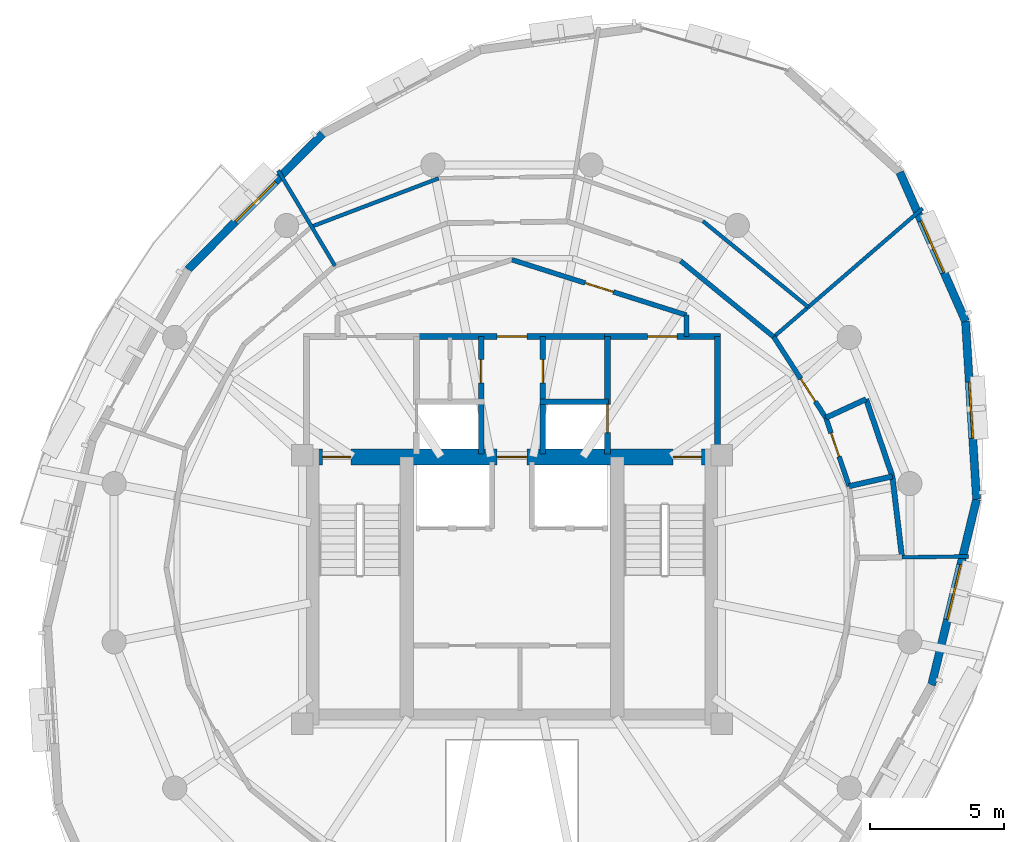
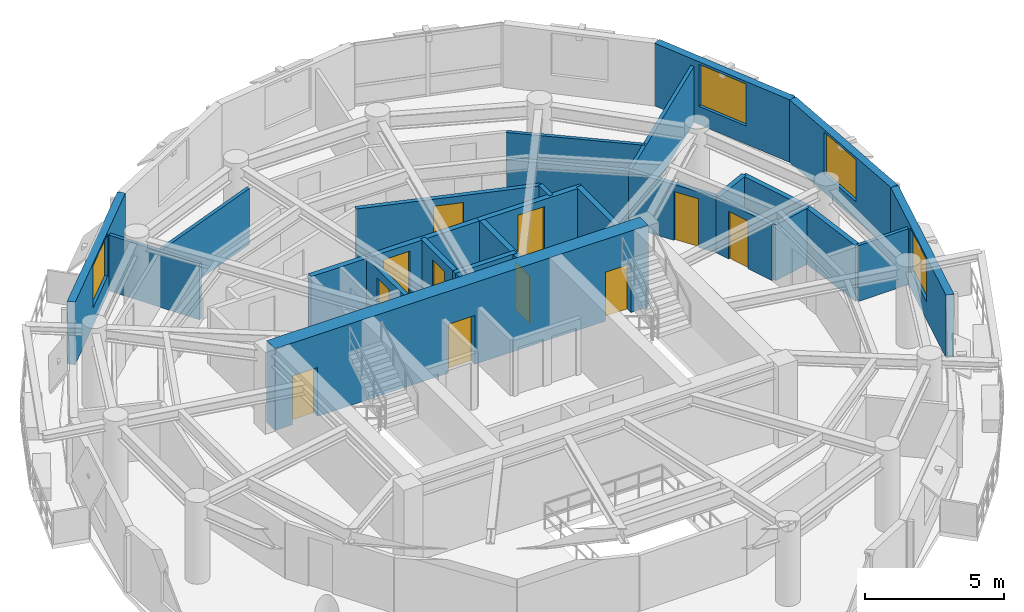
# One storey, part 8 of 11: 26 walls, 11 doors, 4 windows, 15 openings.
"""IFC4 building model written with IfcOpenShell, lengths in metres."""

from ifc_helpers import new_model, si_unit, direction, frame, frame_2d, origin, place, context, subcontext, project, spatial, rectangle, extrude, material, layer, layer_set, type_object, element, fill, save


model = new_model("IFC4")

# Units and contexts
model_context = context("Model", 3, precision=1e-05, world=origin(), true_north=direction((0.0, 1.0)))
body_context = subcontext(model_context, "Body", "Model", "MODEL_VIEW")
ifc_project = project(units=[si_unit("LENGTHUNIT", "METRE"), si_unit("AREAUNIT", "SQUARE_METRE"), si_unit("VOLUMEUNIT", "CUBIC_METRE"), si_unit("PLANEANGLEUNIT", "RADIAN"), si_unit("MASSUNIT", "GRAM", prefix="KILO"), si_unit("THERMODYNAMICTEMPERATUREUNIT", "KELVIN"), si_unit("POWERUNIT", "WATT")], contexts=[model_context])

# Site, building, storey
site_placement = place(None, origin())
site = spatial("IfcSite", under=ifc_project, at=site_placement, CompositionType="ELEMENT")
building_placement = place(site_placement, origin())
building = spatial("IfcBuilding", under=site, at=building_placement, Name="Ocrelia Relay Tower", CompositionType="ELEMENT")
storey_placement = place(building_placement, frame((0.0, 0.0, 280.800048828125)))
storey = spatial("IfcBuildingStorey", under=building, at=storey_placement, Name="L70", CompositionType="ELEMENT", Elevation=280.800048828125)

# Wall, openings, doors
ifc_material_1 = material(Name="Concrete C50/60", Category="concrete")
ifc_layer_1 = layer(ifc_material_1, 0.60009765625, Name="Concrete C50/60")
ifc_layer_set_1 = layer_set([ifc_layer_1], Name="Concrete C50/60")
wall_type_1 = type_object("IfcWallType", Name="CW-CORE-600B", PredefinedType="SHEAR", material=ifc_layer_set_1)
wall_1_placement = place(storey_placement, frame((26.221923828125, 29.93798828125, 0.0), z_axis=(0.0, 0.0, 1.0), x_axis=(1.0, 0.0, 0.0)))
wall_1 = element("IfcWall", 1, at=wall_1_placement, inside=storey, type_object=wall_type_1, Name="L70 Core Shear Wall N", PredefinedType="SHEAR", context=body_context, shape_type="SweptSolid", body=[
    extrude(rectangle(XDim=15.566162109375, YDim=0.60009765625, at=frame_2d((7.783203125, 0.0))), origin(), (0.0, 0.0, 1.0), 3.599853515625),
])
opening_1_placement = place(wall_1_placement, frame((0.72802734375, 0.0, 0.0)))
opening_1 = element("IfcOpeningElement", 2, at=opening_1_placement, cuts=wall_1, Name="Opening D-FD90", PredefinedType="OPENING", context=body_context, shape_type="SweptSolid", body=[
    extrude(rectangle(XDim=1.050048828125, YDim=2.14990234375, at=frame_2d((0.52490234375, 1.074951171875))), frame((0.0, 0.31005859375, 0.0), z_axis=(0.0, -1.0, 0.0), x_axis=(1.0, 0.0, 0.0)), (0.0, 0.0, 1.0), 0.6201171875),
])
opening_2_placement = place(wall_1_placement, frame((13.778076171875, 0.0, 0.0)))
opening_2 = element("IfcOpeningElement", 3, at=opening_2_placement, cuts=wall_1, Name="Opening D-FD90", PredefinedType="OPENING", context=body_context, shape_type="SweptSolid", body=[
    extrude(rectangle(XDim=1.050048828125, YDim=2.14990234375, at=frame_2d((0.52490234375, 1.074951171875))), frame((0.0, 0.31005859375, 0.0), z_axis=(0.0, -1.0, 0.0), x_axis=(1.0, 0.0, 0.0)), (0.0, 0.0, 1.0), 0.6201171875),
])
opening_3_placement = place(wall_1_placement, frame((7.22802734375, 0.0, 0.0)))
opening_3 = element("IfcOpeningElement", 4, at=opening_3_placement, cuts=wall_1, Name="Opening D-FD60", PredefinedType="OPENING", context=body_context, shape_type="SweptSolid", body=[
    extrude(rectangle(XDim=1.10009765625, YDim=2.14990234375, at=frame_2d((0.550048828125, 1.074951171875))), frame((0.0, 0.31005859375, 0.0), z_axis=(0.0, -1.0, 0.0), x_axis=(1.0, 0.0, 0.0)), (0.0, 0.0, 1.0), 0.6201171875),
])
ifc_material_2 = material(Name="Timber-core 60-min acoustic fire door", Category="wood")
door_type_1 = type_object("IfcDoorType", Name="DR-LOBBY-FD60-1100", OperationType="NOTDEFINED", PredefinedType="DOOR", material=ifc_material_2)
door_1_placement = place(opening_3_placement, origin())
door_1 = element("IfcDoor", 5, at=door_1_placement, inside=storey, type_object=door_type_1, Name="L70 Core Lift Lobby North Fire Door", OperationType="SINGLE_SWING_LEFT", OverallHeight=2.14990234375, OverallWidth=1.10009765625, PredefinedType="DOOR", context=body_context, shape_type="SweptSolid", body=[
    extrude(rectangle(XDim=1.10009765625, YDim=2.14990234375, at=frame_2d((0.550048828125, 1.074951171875))), frame((0.0, 0.02490234375, 0.0), z_axis=(0.0, -1.0, 0.0), x_axis=(1.0, 0.0, 0.0)), (0.0, 0.0, 1.0), 0.050048828125),
])
fill(opening_3, door_1)
ifc_material_3 = material(Name="Steel S355 90-min fire door", Category="steel")
door_type_2 = type_object("IfcDoorType", Name="DR-STAIR-FD90-1050", OperationType="NOTDEFINED", PredefinedType="DOOR", material=ifc_material_3)
door_2_placement = place(opening_1_placement, origin())
door_2 = element("IfcDoor", 6, at=door_2_placement, inside=storey, type_object=door_type_2, Name="L70 Stair ST1 Fire Door", OperationType="SINGLE_SWING_LEFT", OverallHeight=2.14990234375, OverallWidth=1.050048828125, PredefinedType="DOOR", context=body_context, shape_type="SweptSolid", body=[
    extrude(rectangle(XDim=1.050048828125, YDim=2.14990234375, at=frame_2d((0.52490234375, 1.074951171875))), frame((0.0, 0.02490234375, 0.0), z_axis=(0.0, -1.0, 0.0), x_axis=(1.0, 0.0, 0.0)), (0.0, 0.0, 1.0), 0.050048828125),
])
fill(opening_1, door_2)
door_3_placement = place(opening_2_placement, origin())
door_3 = element("IfcDoor", 7, at=door_3_placement, inside=storey, type_object=door_type_2, Name="L70 Stair ST2 Fire Door", OperationType="SINGLE_SWING_RIGHT", OverallHeight=2.14990234375, OverallWidth=1.050048828125, PredefinedType="DOOR", context=body_context, shape_type="SweptSolid", body=[
    extrude(rectangle(XDim=1.050048828125, YDim=2.14990234375, at=frame_2d((0.52490234375, 1.074951171875))), frame((0.0, 0.02490234375, 0.0), z_axis=(0.0, -1.0, 0.0), x_axis=(1.0, 0.0, 0.0)), (0.0, 0.0, 1.0), 0.050048828125),
])
fill(opening_2, door_3)

# Wall
ifc_material_4 = material(Name="Gypsum Fireboard Partition EI60", Category="gypsum")
ifc_layer_2 = layer(ifc_material_4, 0.179931640625, Name="Gypsum Fireboard Partition EI60")
ifc_layer_set_2 = layer_set([ifc_layer_2], Name="Gypsum Fireboard Partition EI60")
wall_type_2 = type_object("IfcWallType", Name="W-CORR-EI60-180", PredefinedType="PARTITIONING", material=ifc_layer_set_2)
wall_2_placement = place(storey_placement, frame((40.5, 35.218994140625, 0.0), z_axis=(0.0, 0.0, 1.0), x_axis=(0.0, -1.0, 0.0)))
element("IfcWall", 8, at=wall_2_placement, inside=storey, type_object=wall_type_2, Name="L70 Smoke Lobby East Return", PredefinedType="PARTITIONING", context=body_context, shape_type="SweptSolid", body=[
    extrude(rectangle(XDim=0.7890625, YDim=0.179931640625, at=frame_2d((0.39453125, 0.0))), origin(), (0.0, 0.0, 1.0), 2.4599609375),
])

# Wall, opening, door
wall_3_placement = place(storey_placement, frame((34.0, 37.280029296875, 0.0), z_axis=(0.0, 0.0, 1.0), x_axis=(0.953228121756, -0.302251795518, 0.0)))
wall_3 = element("IfcWall", 9, at=wall_3_placement, inside=storey, type_object=wall_type_2, Name="L70 North Smoke Lobby E Screen Wall", PredefinedType="PARTITIONING", context=body_context, shape_type="SweptSolid", body=[
    extrude(rectangle(XDim=6.81884765625, YDim=0.179931640625, at=frame_2d((3.409423828125, 0.0))), origin(), (0.0, 0.0, 1.0), 2.4599609375),
])
opening_4_placement = place(wall_3_placement, frame((2.859619140625, 0.0, 0.0)))
opening_4 = element("IfcOpeningElement", 10, at=opening_4_placement, cuts=wall_3, Name="Opening D-FD60", PredefinedType="OPENING", context=body_context, shape_type="SweptSolid", body=[
    extrude(rectangle(XDim=1.10009765625, YDim=2.14990234375, at=frame_2d((0.550048828125, 1.074951171875))), frame((0.0, 0.10009765625, 0.0), z_axis=(0.0, -1.0, 0.0), x_axis=(1.0, 0.0, 0.0)), (0.0, 0.0, 1.0), 0.199951171875),
])
door_4_placement = place(opening_4_placement, origin())
door_4 = element("IfcDoor", 11, at=door_4_placement, inside=storey, type_object=door_type_1, Name="L70 North Smoke Lobby E Fire Door", OperationType="SINGLE_SWING_LEFT", OverallHeight=2.14990234375, OverallWidth=1.10009765625, PredefinedType="DOOR", context=body_context, shape_type="SweptSolid", body=[
    extrude(rectangle(XDim=1.10009765625, YDim=2.14990234375, at=frame_2d((0.550048828125, 1.074951171875))), frame((0.0, 0.02490234375, 0.0), z_axis=(0.0, -1.0, 0.0), x_axis=(1.0, 0.0, 0.0)), (0.0, 0.0, 1.0), 0.050048828125),
])
fill(opening_4, door_4)

wall_4_placement = place(storey_placement, frame((46.55029296875, 28.851318359375, 0.0), z_axis=(0.0, 0.0, 1.0), x_axis=(-0.322319163372, 0.946631056391, 0.0)))
wall_4 = element("IfcWall", 12, at=wall_4_placement, inside=storey, type_object=wall_type_2, Name="L70 Accessible Toilet Corridor Wall", PredefinedType="PARTITIONING", context=body_context, shape_type="SweptSolid", body=[
    extrude(rectangle(XDim=2.6904296875, YDim=0.179931640625, at=frame_2d((1.34521484375, 0.0))), origin(), (0.0, 0.0, 1.0), 2.4599609375),
])
opening_5_placement = place(wall_4_placement, frame((1.16748046875, 0.0, 0.0)))
opening_5 = element("IfcOpeningElement", 13, at=opening_5_placement, cuts=wall_4, Name="Opening D-WC92", PredefinedType="OPENING", context=body_context, shape_type="SweptSolid", body=[
    extrude(rectangle(XDim=0.919921875, YDim=2.10009765625, at=frame_2d((0.4599609375, 1.050048828125))), frame((0.0, 0.10009765625, 0.0), z_axis=(0.0, -1.0, 0.0), x_axis=(1.0, 0.0, 0.0)), (0.0, 0.0, 1.0), 0.199951171875),
])
ifc_material_5 = material(Name="Laminate washroom door", Category="wood")
door_type_3 = type_object("IfcDoorType", Name="DR-WC-920", OperationType="NOTDEFINED", PredefinedType="DOOR", material=ifc_material_5)
door_5_placement = place(opening_5_placement, origin())
door_5 = element("IfcDoor", 14, at=door_5_placement, inside=storey, type_object=door_type_3, Name="L70 Accessible Toilet Door", OperationType="SINGLE_SWING_LEFT", OverallHeight=2.10009765625, OverallWidth=0.919921875, PredefinedType="DOOR", context=body_context, shape_type="SweptSolid", body=[
    extrude(rectangle(XDim=0.919921875, YDim=2.10009765625, at=frame_2d((0.4599609375, 1.050048828125))), frame((0.0, 0.02490234375, 0.0), z_axis=(0.0, -1.0, 0.0), x_axis=(1.0, 0.0, 0.0)), (0.0, 0.0, 1.0), 0.050048828125),
])
fill(opening_5, door_5)

wall_5_placement = place(storey_placement, frame((45.68310546875, 31.398193359375, 0.0), z_axis=(0.0, 0.0, 1.0), x_axis=(-0.54172166433, 0.840557932802, 0.0)))
wall_5 = element("IfcWall", 15, at=wall_5_placement, inside=storey, type_object=wall_type_2, Name="L70 Executive Catering Kitchen Corridor Partition 1", PredefinedType="PARTITIONING", context=body_context, shape_type="SweptSolid", body=[
    extrude(rectangle(XDim=3.58251953125, YDim=0.179931640625, at=frame_2d((1.791259765625, 0.0))), origin(), (0.0, 0.0, 1.0), 2.4599609375),
])
opening_6_placement = place(wall_5_placement, frame((0.720703125, 0.0, 0.0)))
opening_6 = element("IfcOpeningElement", 16, at=opening_6_placement, cuts=wall_5, Name="Opening D-RM100", PredefinedType="OPENING", context=body_context, shape_type="SweptSolid", body=[
    extrude(rectangle(XDim=1.0, YDim=2.14990234375, at=frame_2d((0.5, 1.074951171875))), frame((0.0, 0.10009765625, 0.0), z_axis=(0.0, -1.0, 0.0), x_axis=(1.0, 0.0, 0.0)), (0.0, 0.0, 1.0), 0.199951171875),
])
ifc_material_6 = material(Name="Acoustic oak veneer fire door", Category="wood")
door_type_4 = type_object("IfcDoorType", Name="DR-ROOM-FD60-1000", OperationType="NOTDEFINED", PredefinedType="DOOR", material=ifc_material_6)
door_6_placement = place(opening_6_placement, origin())
door_6 = element("IfcDoor", 17, at=door_6_placement, inside=storey, type_object=door_type_4, Name="L70 Executive Catering Kitchen Entrance Door", OperationType="SINGLE_SWING_RIGHT", OverallHeight=2.14990234375, OverallWidth=1.0, PredefinedType="DOOR", context=body_context, shape_type="SweptSolid", body=[
    extrude(rectangle(XDim=1.0, YDim=2.14990234375, at=frame_2d((0.5, 1.074951171875))), frame((0.0, 0.02490234375, 0.0), z_axis=(0.0, -1.0, 0.0), x_axis=(1.0, 0.0, 0.0)), (0.0, 0.0, 1.0), 0.050048828125),
])
fill(opening_6, door_6)

# Wall
wall_6_placement = place(storey_placement, frame((43.742431640625, 34.409423828125, 0.0), z_axis=(0.0, 0.0, 1.0), x_axis=(-0.774907966297, 0.632074080919, 0.0)))
element("IfcWall", 18, at=wall_6_placement, inside=storey, type_object=wall_type_2, Name="L70 Executive Dining Salon Corridor Partition 1", PredefinedType="PARTITIONING", context=body_context, shape_type="SweptSolid", body=[
    extrude(rectangle(XDim=4.4697265625, YDim=0.179931640625, at=frame_2d((2.23486328125, 0.0))), origin(), (0.0, 0.0, 1.0), 2.4599609375),
])

# Wall, opening, window
ifc_material_7 = material(Name="Precast concrete C40/50 with oxide terracotta", Category="masonry")
ifc_layer_3 = layer(ifc_material_7, 0.300048828125, Name="Precast concrete C40/50 with oxide terracotta")
ifc_layer_set_3 = layer_set([ifc_layer_3], Name="Precast concrete C40/50 with oxide terracotta")
wall_type_3 = type_object("IfcWallType", Name="W-EXT-TERR-300", PredefinedType="SOLIDWALL", material=ifc_layer_set_3)
wall_7_placement = place(storey_placement, frame((26.951416015625, 41.968017578125, 0.0), z_axis=(0.0, 0.0, 1.0), x_axis=(-0.704528696966, -0.709675499895, 0.0)))
wall_7 = element("IfcWall", 19, at=wall_7_placement, inside=storey, type_object=wall_type_3, Name="L70 Oxide Terracotta Facade Wall 04", PredefinedType="SOLIDWALL", context=body_context, shape_type="SweptSolid", body=[
    extrude(rectangle(XDim=7.115234375, YDim=0.300048828125, at=frame_2d((3.5576171875, 0.0))), origin(), (0.0, 0.0, 1.0), 2.760009765625),
])
opening_7_placement = place(wall_7_placement, frame((2.508056640625, 0.0, 0.800048828125)))
opening_7 = element("IfcOpeningElement", 20, at=opening_7_placement, cuts=wall_7, Name="Opening W-07", PredefinedType="OPENING", context=body_context, shape_type="SweptSolid", body=[
    extrude(rectangle(XDim=2.10009765625, YDim=1.85009765625, at=frame_2d((1.050048828125, 0.925048828125))), frame((0.0, 0.16015625, 0.0), z_axis=(0.0, -1.0, 0.0), x_axis=(1.0, 0.0, 0.0)), (0.0, 0.0, 1.0), 0.320068359375),
])
ifc_material_8 = material(Name="Clear double-glazed low-E glass", Category="glass")
window_type = type_object("IfcWindowType", Name="WIN-Z4-2100x2200", PartitioningType="DOUBLE_PANEL_VERTICAL", PredefinedType="WINDOW", material=ifc_material_8)
window_1_placement = place(opening_7_placement, origin())
window_1 = element("IfcWindow", 21, at=window_1_placement, inside=storey, type_object=window_type, Name="L70 Facade Module Window 04", OverallHeight=1.85009765625, OverallWidth=2.10009765625, PartitioningType="SINGLE_PANEL", PredefinedType="WINDOW", context=body_context, shape_type="SweptSolid", body=[
    extrude(rectangle(XDim=2.10009765625, YDim=1.85009765625, at=frame_2d((1.050048828125, 0.925048828125))), frame((0.0, 0.030029296875, 0.0), z_axis=(0.0, -1.0, 0.0), x_axis=(1.0, 0.0, 0.0)), (0.0, 0.0, 1.0), 0.06005859375),
])
fill(opening_7, window_1)

wall_8_placement = place(storey_placement, frame((49.61962890625, 21.447998046875, 0.0), z_axis=(0.0, 0.0, 1.0), x_axis=(0.235278882534, 0.971927902385, 0.0)))
wall_8 = element("IfcWall", 22, at=wall_8_placement, inside=storey, type_object=wall_type_3, Name="L70 Oxide Terracotta Facade Wall 15", PredefinedType="SOLIDWALL", context=body_context, shape_type="SweptSolid", body=[
    extrude(rectangle(XDim=7.115234375, YDim=0.300048828125, at=frame_2d((3.5576171875, 0.0))), origin(), (0.0, 0.0, 1.0), 2.760009765625),
])
opening_8_placement = place(wall_8_placement, frame((2.508056640625, 0.0, 0.800048828125)))
opening_8 = element("IfcOpeningElement", 23, at=opening_8_placement, cuts=wall_8, Name="Opening W-07", PredefinedType="OPENING", context=body_context, shape_type="SweptSolid", body=[
    extrude(rectangle(XDim=2.10009765625, YDim=1.85009765625, at=frame_2d((1.050048828125, 0.925048828125))), frame((0.0, 0.16015625, 0.0), z_axis=(0.0, -1.0, 0.0), x_axis=(1.0, 0.0, 0.0)), (0.0, 0.0, 1.0), 0.320068359375),
])
window_2_placement = place(opening_8_placement, origin())
window_2 = element("IfcWindow", 24, at=window_2_placement, inside=storey, type_object=window_type, Name="L70 Facade Module Window 15", OverallHeight=1.85009765625, OverallWidth=2.10009765625, PartitioningType="SINGLE_PANEL", PredefinedType="WINDOW", context=body_context, shape_type="SweptSolid", body=[
    extrude(rectangle(XDim=2.10009765625, YDim=1.85009765625, at=frame_2d((1.050048828125, 0.925048828125))), frame((0.0, 0.030029296875, 0.0), z_axis=(0.0, -1.0, 0.0), x_axis=(1.0, 0.0, 0.0)), (0.0, 0.0, 1.0), 0.06005859375),
])
fill(opening_8, window_2)

wall_9_placement = place(storey_placement, frame((51.293701171875, 28.363525390625, 0.0), z_axis=(0.0, 0.0, 1.0), x_axis=(-0.06199847646, 0.99807624404, 0.0)))
wall_9 = element("IfcWall", 25, at=wall_9_placement, inside=storey, type_object=wall_type_3, Name="L70 Oxide Terracotta Facade Wall 16", PredefinedType="SOLIDWALL", context=body_context, shape_type="SweptSolid", body=[
    extrude(rectangle(XDim=6.64306640625, YDim=0.300048828125, at=frame_2d((3.321533203125, 0.0))), origin(), (0.0, 0.0, 1.0), 2.760009765625),
])
opening_9_placement = place(wall_9_placement, frame((2.27197265625, 0.0, 0.800048828125)))
opening_9 = element("IfcOpeningElement", 26, at=opening_9_placement, cuts=wall_9, Name="Opening W-07", PredefinedType="OPENING", context=body_context, shape_type="SweptSolid", body=[
    extrude(rectangle(XDim=2.10009765625, YDim=1.85009765625, at=frame_2d((1.050048828125, 0.925048828125))), frame((0.0, 0.16015625, 0.0), z_axis=(0.0, -1.0, 0.0), x_axis=(1.0, 0.0, 0.0)), (0.0, 0.0, 1.0), 0.320068359375),
])
window_3_placement = place(opening_9_placement, origin())
window_3 = element("IfcWindow", 27, at=window_3_placement, inside=storey, type_object=window_type, Name="L70 Facade Module Window 16", OverallHeight=1.85009765625, OverallWidth=2.10009765625, PartitioningType="SINGLE_PANEL", PredefinedType="WINDOW", context=body_context, shape_type="SweptSolid", body=[
    extrude(rectangle(XDim=2.10009765625, YDim=1.85009765625, at=frame_2d((1.050048828125, 0.925048828125))), frame((0.0, 0.030029296875, 0.0), z_axis=(0.0, -1.0, 0.0), x_axis=(1.0, 0.0, 0.0)), (0.0, 0.0, 1.0), 0.06005859375),
])
fill(opening_9, window_3)

wall_10_placement = place(storey_placement, frame((50.8818359375, 34.993896484375, 0.0), z_axis=(0.0, 0.0, 1.0), x_axis=(-0.40381273821, 0.91484166524, 0.0)))
wall_10 = element("IfcWall", 28, at=wall_10_placement, inside=storey, type_object=wall_type_3, Name="L70 Oxide Terracotta Facade Wall 17", PredefinedType="SOLIDWALL", context=body_context, shape_type="SweptSolid", body=[
    extrude(rectangle(XDim=6.0615234375, YDim=0.300048828125, at=frame_2d((3.03076171875, 0.0))), origin(), (0.0, 0.0, 1.0), 2.760009765625),
])
opening_10_placement = place(wall_10_placement, frame((1.98095703125, 0.0, 0.800048828125)))
opening_10 = element("IfcOpeningElement", 29, at=opening_10_placement, cuts=wall_10, Name="Opening W-07", PredefinedType="OPENING", context=body_context, shape_type="SweptSolid", body=[
    extrude(rectangle(XDim=2.10009765625, YDim=1.85009765625, at=frame_2d((1.050048828125, 0.925048828125))), frame((0.0, 0.16015625, 0.0), z_axis=(0.0, -1.0, 0.0), x_axis=(1.0, 0.0, 0.0)), (0.0, 0.0, 1.0), 0.320068359375),
])
window_4_placement = place(opening_10_placement, origin())
window_4 = element("IfcWindow", 30, at=window_4_placement, inside=storey, type_object=window_type, Name="L70 Facade Module Window 17", OverallHeight=1.85009765625, OverallWidth=2.10009765625, PartitioningType="SINGLE_PANEL", PredefinedType="WINDOW", context=body_context, shape_type="SweptSolid", body=[
    extrude(rectangle(XDim=2.10009765625, YDim=1.85009765625, at=frame_2d((1.050048828125, 0.925048828125))), frame((0.0, 0.030029296875, 0.0), z_axis=(0.0, -1.0, 0.0), x_axis=(1.0, 0.0, 0.0)), (0.0, 0.0, 1.0), 0.06005859375),
])
fill(opening_10, window_4)

# Wall, opening, door
ifc_layer_4 = layer(ifc_material_1, 0.219970703125, Name="Concrete C50/60")
ifc_layer_set_4 = layer_set([ifc_layer_4], Name="Concrete C50/60")
wall_type_4 = type_object("IfcWallType", Name="W-FFL-EI120-220", PredefinedType="SOLIDWALL", material=ifc_layer_set_4)
wall_11_placement = place(storey_placement, frame((37.56005859375, 30.050048828125, 0.0), z_axis=(0.0, 0.0, 1.0), x_axis=(0.0, 1.0, 0.0)))
wall_11 = element("IfcWall", 31, at=wall_11_placement, inside=storey, type_object=wall_type_4, Name="L70 E Fire Service Lift Lobby West Wall", PredefinedType="SOLIDWALL", context=body_context, shape_type="SweptSolid", body=[
    extrude(rectangle(XDim=4.3798828125, YDim=0.219970703125, at=frame_2d((2.18994140625, 0.0))), origin(), (0.0, 0.0, 1.0), 2.4599609375),
])
opening_11_placement = place(wall_11_placement, frame((0.800048828125, 0.0, 0.0)))
opening_11 = element("IfcOpeningElement", 32, at=opening_11_placement, cuts=wall_11, Name="Opening LD-FFL2", PredefinedType="OPENING", context=body_context, shape_type="SweptSolid", body=[
    extrude(rectangle(XDim=1.050048828125, YDim=2.10009765625, at=frame_2d((0.52490234375, 1.050048828125))), frame((0.0, 0.1201171875, 0.0), z_axis=(0.0, -1.0, 0.0), x_axis=(1.0, 0.0, 0.0)), (0.0, 0.0, 1.0), 0.239990234375),
])
ifc_material_9 = material(Name="Brushed stainless steel S355 lift landing door", Category="steel")
door_type_5 = type_object("IfcDoorType", Name="DR-LIFT-LAND-1050", OperationType="DOUBLE_DOOR_SLIDING", PredefinedType="USERDEFINED", material=ifc_material_9)
door_7_placement = place(opening_11_placement, origin())
door_7 = element("IfcDoor", 33, at=door_7_placement, inside=storey, type_object=door_type_5, Name="L70 Firefighting Lift FFL2 Sliding Landing Door", ObjectType="LANDING DOOR", OperationType="DOUBLE_DOOR_SLIDING", OverallHeight=2.10009765625, OverallWidth=1.050048828125, PredefinedType="USERDEFINED", context=body_context, shape_type="SweptSolid", body=[
    extrude(rectangle(XDim=1.050048828125, YDim=2.10009765625, at=frame_2d((0.52490234375, 1.050048828125))), frame((0.0, 0.02490234375, 0.0), z_axis=(0.0, -1.0, 0.0), x_axis=(1.0, 0.0, 0.0)), (0.0, 0.0, 1.0), 0.050048828125),
])
fill(opening_11, door_7)

# Wall
wall_12_placement = place(storey_placement, frame((41.64990234375, 30.050048828125, 0.0), z_axis=(0.0, 0.0, 1.0), x_axis=(0.0, 1.0, 0.0)))
element("IfcWall", 34, at=wall_12_placement, inside=storey, type_object=wall_type_4, Name="L70 E Fire Service Lift Lobby East Wall", PredefinedType="SOLIDWALL", context=body_context, shape_type="SweptSolid", body=[
    extrude(rectangle(XDim=4.3798828125, YDim=0.219970703125, at=frame_2d((2.18994140625, 0.0))), origin(), (0.0, 0.0, 1.0), 2.4599609375),
])

# Wall, opening, door
wall_13_placement = place(storey_placement, frame((37.449951171875, 34.429931640625, 0.0), z_axis=(0.0, 0.0, 1.0), x_axis=(1.0, 0.0, 0.0)))
wall_13 = element("IfcWall", 35, at=wall_13_placement, inside=storey, type_object=wall_type_4, Name="L70 E Fire Service Lift Lobby North Wall", PredefinedType="SOLIDWALL", context=body_context, shape_type="SweptSolid", body=[
    extrude(rectangle(XDim=4.31005859375, YDim=0.219970703125, at=frame_2d((2.155029296875, 0.0))), origin(), (0.0, 0.0, 1.0), 2.4599609375),
])
opening_12_placement = place(wall_13_placement, frame((1.60009765625, 0.0, 0.0)))
opening_12 = element("IfcOpeningElement", 36, at=opening_12_placement, cuts=wall_13, Name="Opening D-FD60", PredefinedType="OPENING", context=body_context, shape_type="SweptSolid", body=[
    extrude(rectangle(XDim=1.10009765625, YDim=2.14990234375, at=frame_2d((0.550048828125, 1.074951171875))), frame((0.0, 0.1201171875, 0.0), z_axis=(0.0, -1.0, 0.0), x_axis=(1.0, 0.0, 0.0)), (0.0, 0.0, 1.0), 0.239990234375),
])
door_8_placement = place(opening_12_placement, origin())
door_8 = element("IfcDoor", 37, at=door_8_placement, inside=storey, type_object=door_type_1, Name="L70 E Fire Service Lift Lobby Exit Door", OperationType="SINGLE_SWING_RIGHT", OverallHeight=2.14990234375, OverallWidth=1.10009765625, PredefinedType="DOOR", context=body_context, shape_type="SweptSolid", body=[
    extrude(rectangle(XDim=1.10009765625, YDim=2.14990234375, at=frame_2d((0.550048828125, 1.074951171875))), frame((0.0, 0.02490234375, 0.0), z_axis=(0.0, -1.0, 0.0), x_axis=(1.0, 0.0, 0.0)), (0.0, 0.0, 1.0), 0.050048828125),
])
fill(opening_12, door_8)

wall_14_placement = place(storey_placement, frame((30.43994140625, 34.429931640625, 0.0), z_axis=(0.0, 0.0, 1.0), x_axis=(1.0, 0.0, 0.0)))
wall_14 = element("IfcWall", 38, at=wall_14_placement, inside=storey, type_object=wall_type_4, Name="L70 North Core Vestibule Wall", PredefinedType="SOLIDWALL", context=body_context, shape_type="SweptSolid", body=[
    extrude(rectangle(XDim=7.1201171875, YDim=0.219970703125, at=frame_2d((3.56005859375, 0.0))), origin(), (0.0, 0.0, 1.0), 2.4599609375),
])
opening_13_placement = place(wall_14_placement, frame((3.010009765625, 0.0, 0.0)))
opening_13 = element("IfcOpeningElement", 39, at=opening_13_placement, cuts=wall_14, Name="Opening D-FD60", PredefinedType="OPENING", context=body_context, shape_type="SweptSolid", body=[
    extrude(rectangle(XDim=1.10009765625, YDim=2.14990234375, at=frame_2d((0.550048828125, 1.074951171875))), frame((0.0, 0.1201171875, 0.0), z_axis=(0.0, -1.0, 0.0), x_axis=(1.0, 0.0, 0.0)), (0.0, 0.0, 1.0), 0.239990234375),
])
door_9_placement = place(opening_13_placement, origin())
door_9 = element("IfcDoor", 40, at=door_9_placement, inside=storey, type_object=door_type_1, Name="L70 North Core Vestibule Corridor Door", OperationType="SINGLE_SWING_RIGHT", OverallHeight=2.14990234375, OverallWidth=1.10009765625, PredefinedType="DOOR", context=body_context, shape_type="SweptSolid", body=[
    extrude(rectangle(XDim=1.10009765625, YDim=2.14990234375, at=frame_2d((0.550048828125, 1.074951171875))), frame((0.0, 0.02490234375, 0.0), z_axis=(0.0, -1.0, 0.0), x_axis=(1.0, 0.0, 0.0)), (0.0, 0.0, 1.0), 0.050048828125),
])
fill(opening_13, door_9)

# Walls
ifc_material_10 = material(Name="Acoustic Fireboard Partition EI60", Category="gypsum")
ifc_layer_5 = layer(ifc_material_10, 0.139892578125, Name="Acoustic Fireboard Partition EI60")
ifc_layer_set_5 = layer_set([ifc_layer_5], Name="Acoustic Fireboard Partition EI60")
wall_type_5 = type_object("IfcWallType", Name="W-PART-140", PredefinedType="PARTITIONING", material=ifc_layer_set_5)
wall_15_placement = place(storey_placement, frame((48.5185546875, 26.20263671875, 0.0), z_axis=(0.0, 0.0, 1.0), x_axis=(0.999902267808, 0.013980516151, 0.0)))
element("IfcWall", 41, at=wall_15_placement, inside=storey, type_object=wall_type_5, Name="L70 Executive Catering Kitchen Radial Partition", PredefinedType="PARTITIONING", context=body_context, shape_type="SweptSolid", body=[
    extrude(rectangle(XDim=2.479736328125, YDim=0.139892578125, at=frame_2d((1.23974609375, 0.0))), origin(), (0.0, 0.0, 1.0), 2.4599609375),
])
wall_16_placement = place(storey_placement, frame((43.742431640625, 34.409423828125, 0.0), z_axis=(0.0, 0.0, 1.0), x_axis=(0.756998503869, 0.65341660917, 0.0)))
element("IfcWall", 42, at=wall_16_placement, inside=storey, type_object=wall_type_5, Name="L70 Executive Catering Kitchen Radial Partition", PredefinedType="PARTITIONING", context=body_context, shape_type="SweptSolid", body=[
    extrude(rectangle(XDim=7.318359375, YDim=0.139892578125, at=frame_2d((3.6591796875, 0.0))), origin(), (0.0, 0.0, 1.0), 2.4599609375),
])
wall_17_placement = place(storey_placement, frame((45.029296875, 35.520263671875, 0.0), z_axis=(0.0, 0.0, 1.0), x_axis=(-0.774921612032, 0.6320573512, 0.0)))
element("IfcWall", 43, at=wall_17_placement, inside=storey, type_object=wall_type_5, Name="L70 Perimeter Executive Dining Salon Mid-Ring Partition 1", PredefinedType="PARTITIONING", context=body_context, shape_type="SweptSolid", body=[
    extrude(rectangle(XDim=5.06005859375, YDim=0.139892578125, at=frame_2d((2.530029296875, 0.0))), origin(), (0.0, 0.0, 1.0), 2.4599609375),
])
wall_18_placement = place(storey_placement, frame((27.409912109375, 37.0546875, 0.0), z_axis=(0.0, 0.0, 1.0), x_axis=(-0.512015892625, 0.858975975042, 0.0)))
element("IfcWall", 44, at=wall_18_placement, inside=storey, type_object=wall_type_5, Name="L70 Hospitality Banquet Room Radial Partition", PredefinedType="PARTITIONING", context=body_context, shape_type="SweptSolid", body=[
    extrude(rectangle(XDim=4.129638671875, YDim=0.139892578125, at=frame_2d((2.06494140625, 0.0))), origin(), (0.0, 0.0, 1.0), 2.4599609375),
])
wall_19_placement = place(storey_placement, frame((31.27001953125, 40.31201171875, 0.0), z_axis=(0.0, 0.0, 1.0), x_axis=(-0.934813695118, -0.355138501743, 0.0)))
element("IfcWall", 45, at=wall_19_placement, inside=storey, type_object=wall_type_5, Name="L70 Perimeter Hospitality Banquet Room Mid-Ring Partition 2", PredefinedType="PARTITIONING", context=body_context, shape_type="SweptSolid", body=[
    extrude(rectangle(XDim=5.060302734375, YDim=0.139892578125, at=frame_2d((2.5302734375, 0.0))), origin(), (0.0, 0.0, 1.0), 2.4599609375),
])
ifc_material_11 = material(Name="Moisture-Resistant Fireboard Chase Wall EI60", Category="gypsum")
ifc_layer_6 = layer(ifc_material_11, 0.199951171875, Name="Moisture-Resistant Fireboard Chase Wall EI60")
ifc_layer_set_6 = layer_set([ifc_layer_6], Name="Moisture-Resistant Fireboard Chase Wall EI60")
wall_type_6 = type_object("IfcWallType", Name="W-PLUMB-200", PredefinedType="PLUMBINGWALL", material=ifc_layer_set_6)
wall_20_placement = place(storey_placement, frame((46.55029296875, 28.851318359375, 0.0), z_axis=(0.0, 0.0, 1.0), x_axis=(0.97515610781, 0.221518769862, 0.0)))
element("IfcWall", 46, at=wall_20_placement, inside=storey, type_object=wall_type_6, Name="L70 Staff Toilet Plumbing Radial Wall", PredefinedType="PLUMBINGWALL", context=body_context, shape_type="SweptSolid", body=[
    extrude(rectangle(XDim=1.64990234375, YDim=0.199951171875, at=frame_2d((0.824951171875, 0.0))), origin(), (0.0, 0.0, 1.0), 2.4599609375),
])
wall_21_placement = place(storey_placement, frame((48.5185546875, 26.20263671875, 0.0), z_axis=(0.0, 0.0, 1.0), x_axis=(-0.118390378515, 0.992967128497, 0.0)))
element("IfcWall", 47, at=wall_21_placement, inside=storey, type_object=wall_type_6, Name="L70 Staff Toilet Back Plumbing Wall", PredefinedType="PLUMBINGWALL", context=body_context, shape_type="SweptSolid", body=[
    extrude(rectangle(XDim=3.035400390625, YDim=0.199951171875, at=frame_2d((1.517578125, 0.0))), origin(), (0.0, 0.0, 1.0), 2.4599609375),
])
wall_22_placement = place(storey_placement, frame((45.68310546875, 31.398193359375, 0.0), z_axis=(0.0, 0.0, 1.0), x_axis=(0.907764405775, 0.419480373329, 0.0)))
element("IfcWall", 48, at=wall_22_placement, inside=storey, type_object=wall_type_6, Name="L70 Accessible Toilet Plumbing Radial Wall", PredefinedType="PLUMBINGWALL", context=body_context, shape_type="SweptSolid", body=[
    extrude(rectangle(XDim=1.64990234375, YDim=0.199951171875, at=frame_2d((0.824951171875, 0.0))), origin(), (0.0, 0.0, 1.0), 2.4599609375),
])
wall_23_placement = place(storey_placement, frame((48.1591796875, 29.216796875, 0.0), z_axis=(0.0, 0.0, 1.0), x_axis=(-0.322277599522, 0.946645207481, 0.0)))
element("IfcWall", 49, at=wall_23_placement, inside=storey, type_object=wall_type_6, Name="L70 Accessible Toilet Back Plumbing Wall", PredefinedType="PLUMBINGWALL", context=body_context, shape_type="SweptSolid", body=[
    extrude(rectangle(XDim=3.035400390625, YDim=0.199951171875, at=frame_2d((1.517578125, 0.0))), origin(), (0.0, 0.0, 1.0), 2.4599609375),
])

# Wall, opening, door
ifc_layer_7 = layer(ifc_material_1, 0.199951171875, Name="Concrete C50/60")
ifc_layer_set_7 = layer_set([ifc_layer_7], Name="Concrete C50/60")
wall_type_7 = type_object("IfcWallType", Name="W-SHAFT-EI120-200", PredefinedType="SOLIDWALL", material=ifc_layer_set_7)
wall_24_placement = place(storey_placement, frame((32.85009765625, 30.050048828125, 0.0), z_axis=(0.0, 0.0, 1.0), x_axis=(0.0, 1.0, 0.0)))
wall_24 = element("IfcWall", 50, at=wall_24_placement, inside=storey, type_object=wall_type_7, Name="L70 FFL1 and Service Vestibule Wall", PredefinedType="SOLIDWALL", context=body_context, shape_type="SweptSolid", body=[
    extrude(rectangle(XDim=4.3798828125, YDim=0.199951171875, at=frame_2d((2.18994140625, 0.0))), origin(), (0.0, 0.0, 1.0), 2.4599609375),
])
opening_14_placement = place(wall_24_placement, frame((2.64990234375, 0.0, 0.0)))
opening_14 = element("IfcOpeningElement", 51, at=opening_14_placement, cuts=wall_24, Name="Opening D-RS86", PredefinedType="OPENING", context=body_context, shape_type="SweptSolid", body=[
    extrude(rectangle(XDim=0.860107421875, YDim=2.050048828125, at=frame_2d((0.43017578125, 1.02490234375))), frame((0.0, 0.10986328125, 0.0), z_axis=(0.0, -1.0, 0.0), x_axis=(1.0, 0.0, 0.0)), (0.0, 0.0, 1.0), 0.219970703125),
])
ifc_material_12 = material(Name="Steel S355 riser access fire door", Category="steel")
door_type_6 = type_object("IfcDoorType", Name="DR-RISER-TRAP-860", OperationType="NOTDEFINED", PredefinedType="TRAPDOOR", material=ifc_material_12)
door_10_placement = place(opening_14_placement, origin())
door_10 = element("IfcDoor", 52, at=door_10_placement, inside=storey, type_object=door_type_6, Name="L70 Core Support Room W Door", OperationType="SINGLE_SWING_LEFT", OverallHeight=2.050048828125, OverallWidth=0.860107421875, PredefinedType="TRAPDOOR", context=body_context, shape_type="SweptSolid", body=[
    extrude(rectangle(XDim=0.860107421875, YDim=2.050048828125, at=frame_2d((0.43017578125, 1.02490234375))), frame((0.0, 0.02490234375, 0.0), z_axis=(0.0, -1.0, 0.0), x_axis=(1.0, 0.0, 0.0)), (0.0, 0.0, 1.0), 0.050048828125),
])
fill(opening_14, door_10)

# Wall
wall_25_placement = place(storey_placement, frame((35.050048828125, 32.0, 0.0), z_axis=(0.0, 0.0, 1.0), x_axis=(1.0, 0.0, 0.0)))
element("IfcWall", 53, at=wall_25_placement, inside=storey, type_object=wall_type_7, Name="L70 FFL2 Hoistway North Wall", PredefinedType="SOLIDWALL", context=body_context, shape_type="SweptSolid", body=[
    extrude(rectangle(XDim=2.550048828125, YDim=0.199951171875, at=frame_2d((1.27490234375, 0.0))), origin(), (0.0, 0.0, 1.0), 2.4599609375),
])

# Wall, opening, door
wall_26_placement = place(storey_placement, frame((35.14990234375, 30.050048828125, 0.0), z_axis=(0.0, 0.0, 1.0), x_axis=(0.0, 1.0, 0.0)))
wall_26 = element("IfcWall", 54, at=wall_26_placement, inside=storey, type_object=wall_type_7, Name="L70 FFL2 and Service Vestibule Wall", PredefinedType="SOLIDWALL", context=body_context, shape_type="SweptSolid", body=[
    extrude(rectangle(XDim=4.3798828125, YDim=0.199951171875, at=frame_2d((2.18994140625, 0.0))), origin(), (0.0, 0.0, 1.0), 2.4599609375),
])
opening_15_placement = place(wall_26_placement, frame((2.64990234375, 0.0, 0.0)))
opening_15 = element("IfcOpeningElement", 55, at=opening_15_placement, cuts=wall_26, Name="Opening D-RS86", PredefinedType="OPENING", context=body_context, shape_type="SweptSolid", body=[
    extrude(rectangle(XDim=0.860107421875, YDim=2.050048828125, at=frame_2d((0.43017578125, 1.02490234375))), frame((0.0, 0.10986328125, 0.0), z_axis=(0.0, -1.0, 0.0), x_axis=(1.0, 0.0, 0.0)), (0.0, 0.0, 1.0), 0.219970703125),
])
door_11_placement = place(opening_15_placement, origin())
door_11 = element("IfcDoor", 56, at=door_11_placement, inside=storey, type_object=door_type_6, Name="L70 Core Support Room E Door", OperationType="SINGLE_SWING_LEFT", OverallHeight=2.050048828125, OverallWidth=0.860107421875, PredefinedType="TRAPDOOR", context=body_context, shape_type="SweptSolid", body=[
    extrude(rectangle(XDim=0.860107421875, YDim=2.050048828125, at=frame_2d((0.43017578125, 1.02490234375))), frame((0.0, 0.02490234375, 0.0), z_axis=(0.0, -1.0, 0.0), x_axis=(1.0, 0.0, 0.0)), (0.0, 0.0, 1.0), 0.050048828125),
])
fill(opening_15, door_11)

save(model, "model.ifc")
